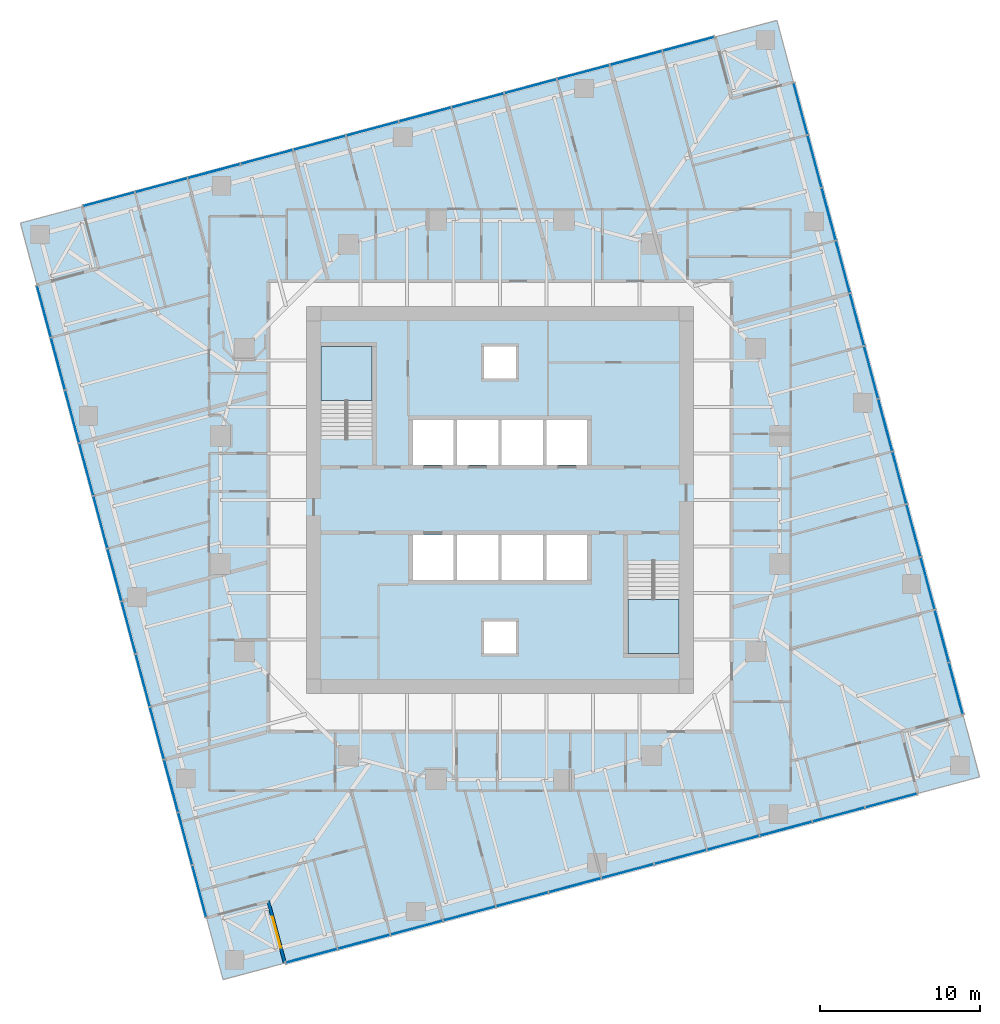
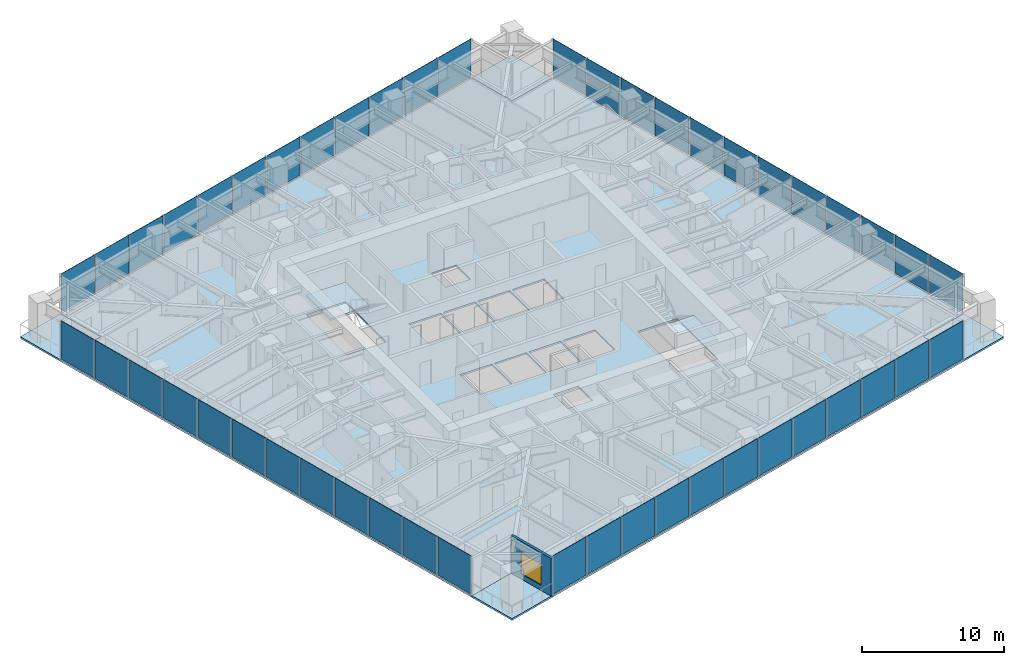
# One storey, part 7 of 15: 48 plates, 7 slabs, 1 wall, 1 window, 1 opening, 6 elements without a shape of their own.
"""IFC4 building model written with IfcOpenShell, lengths in metres."""

from ifc_helpers import new_model, si_unit, direction, frame, frame_2d, origin, origin_2d, place, context, subcontext, project, spatial, polyline, rectangle, outline, extrude, material, layer, layer_set, type_object, element, fill, aggregate, save


model = new_model("IFC4")

# Units and contexts
model_context = context("Model", 3, precision=1e-05, world=origin(), true_north=direction((0.0, 1.0)))
body_context = subcontext(model_context, "Body", "Model", "MODEL_VIEW")
ifc_project = project(units=[si_unit("LENGTHUNIT", "METRE"), si_unit("AREAUNIT", "SQUARE_METRE"), si_unit("VOLUMEUNIT", "CUBIC_METRE"), si_unit("PLANEANGLEUNIT", "RADIAN"), si_unit("MASSUNIT", "GRAM", prefix="KILO")], contexts=[model_context])

# Site, building, storey
site_placement = place(None, origin())
site = spatial("IfcSite", under=ifc_project, at=site_placement, CompositionType="ELEMENT")
building_placement = place(site_placement, origin())
building = spatial("IfcBuilding", under=site, at=building_placement, Name="Torsade Residences", CompositionType="ELEMENT")
storey_placement = place(building_placement, frame((0.0, 0.0, 132.0)))
storey = spatial("IfcBuildingStorey", under=building, at=storey_placement, Name="L36", CompositionType="ELEMENT", Elevation=132.0)

# Slab
ifc_material_1 = material(Name="Concrete 40 MPa", Category="concrete")
ifc_layer_1 = layer(ifc_material_1, 0.14990234375)
ifc_layer_set_1 = layer_set([ifc_layer_1], Name="Concrete 40 MPa")
slab_type_1 = type_object("IfcSlabType", Name="COMPOSITE FLOOR SLAB 150", PredefinedType="FLOOR", material=ifc_layer_set_1)
slab_1_placement = place(storey_placement, frame((0.0, 0.0, -0.14990234375)))
element("IfcSlab", 1, at=slab_1_placement, inside=storey, type_object=slab_type_1, Name="Floor slab L36", PredefinedType="FLOOR", context=body_context, shape_type="SweptSolid", body=[
    extrude(outline(polyline([(26.53955078125, 1.029052734375), (66.142578125, 11.640625), (65.107177734375, 15.50439453125), (68.970947265625, 16.53955078125), (58.359375, 56.142578125), (54.49560546875, 55.107177734375), (53.46044921875, 58.970947265625), (13.857421875, 48.359375), (14.892822265625, 44.49560546875), (11.029052734375, 43.46044921875), (21.640625, 3.857421875), (25.50439453125, 4.892822265625), (26.53955078125, 1.029052734375)]), holes=[polyline([(51.199951171875, 20.39990234375), (51.199951171875, 26.1201171875), (48.0, 26.1201171875), (48.0, 20.39990234375), (51.199951171875, 20.39990234375)]), polyline([(45.5, 27.800048828125), (42.89990234375, 27.800048828125), (42.89990234375, 25.0), (45.5, 25.0), (45.5, 27.800048828125)]), polyline([(45.5, 32.199951171875), (45.5, 35.0), (42.89990234375, 35.0), (42.89990234375, 32.199951171875), (45.5, 32.199951171875)]), polyline([(42.699951171875, 25.0), (42.699951171875, 27.800048828125), (40.10009765625, 27.800048828125), (40.10009765625, 25.0), (42.699951171875, 25.0)]), polyline([(42.699951171875, 32.199951171875), (42.699951171875, 35.0), (40.10009765625, 35.0), (40.10009765625, 32.199951171875), (42.699951171875, 32.199951171875)]), polyline([(41.0, 22.39990234375), (39.0, 22.39990234375), (39.0, 20.39990234375), (41.0, 20.39990234375), (41.0, 22.39990234375)]), polyline([(41.0, 37.60009765625), (41.0, 39.60009765625), (39.0, 39.60009765625), (39.0, 37.60009765625), (41.0, 37.60009765625)]), polyline([(39.89990234375, 25.0), (39.89990234375, 27.800048828125), (37.300048828125, 27.800048828125), (37.300048828125, 25.0), (39.89990234375, 25.0)]), polyline([(39.89990234375, 35.0), (37.300048828125, 35.0), (37.300048828125, 32.199951171875), (39.89990234375, 32.199951171875), (39.89990234375, 35.0)]), polyline([(37.10009765625, 27.800048828125), (34.5, 27.800048828125), (34.5, 25.0), (37.10009765625, 25.0), (37.10009765625, 27.800048828125)]), polyline([(37.10009765625, 32.199951171875), (37.10009765625, 35.0), (34.5, 35.0), (34.5, 32.199951171875), (37.10009765625, 32.199951171875)]), polyline([(32.0, 33.8798828125), (32.0, 39.60009765625), (28.800048828125, 39.60009765625), (28.800048828125, 33.8798828125), (32.0, 33.8798828125)])]), origin(), (0.0, 0.0, 1.0), 0.14990234375),
])

# Curtain wall, plates
ifc_material_2 = material(Name="Aluminium and glass", Category="aluminium")
curtain_wall_type = type_object("IfcCurtainWallType", Name="FRITTED GLASS CURTAIN WALL MID ZONE", PredefinedType="NOTDEFINED", material=ifc_material_2)
curtain_wall_1_placement = place(storey_placement, origin())
curtain_wall_1 = element("IfcCurtainWall", 2, at=curtain_wall_1_placement, inside=storey, type_object=curtain_wall_type, Name="Curtain wall L36 face 1", PredefinedType="NOTDEFINED")
ifc_material_3 = material(Name="Laminated glass", Category="glass")
ifc_layer_2 = layer(ifc_material_3, 0.031982421875)
ifc_layer_set_2 = layer_set([ifc_layer_2], Name="Laminated glass")
plate_type_1 = type_object("IfcPlateType", Name="FRITTED GLASS PANEL", PredefinedType="CURTAIN_PANEL", material=ifc_layer_set_2)
plate_1_placement = place(storey_placement, frame((28.208984375, 1.476318359375, 0.10986328125), z_axis=(0.0, 0.0, 1.0), x_axis=(0.965925825571, 0.258819047783, 0.0)))
plate_1 = element("IfcPlate", 3, at=plate_1_placement, type_object=plate_type_1, Name="Panel 1", PredefinedType="CURTAIN_PANEL", context=body_context, shape_type="SweptSolid", body=[
    extrude(rectangle(XDim=3.296630859375, YDim=0.031982421875, at=origin_2d()), origin(), (0.0, 0.0, 1.0), 3.2900390625),
])
plate_2_placement = place(storey_placement, frame((34.790283203125, 3.23974609375, 0.10986328125), z_axis=(0.0, 0.0, 1.0), x_axis=(0.965925825571, 0.258819047783, 0.0)))
plate_2 = element("IfcPlate", 4, at=plate_2_placement, type_object=plate_type_1, Name="Panel 3", PredefinedType="CURTAIN_PANEL", context=body_context, shape_type="SweptSolid", body=[
    extrude(rectangle(XDim=3.336669921875, YDim=0.031982421875, at=origin_2d()), origin(), (0.0, 0.0, 1.0), 3.2900390625),
])
plate_3_placement = place(storey_placement, frame((38.09033203125, 4.1240234375, 0.10986328125), z_axis=(0.0, 0.0, 1.0), x_axis=(0.965925825571, 0.258819047783, 0.0)))
plate_3 = element("IfcPlate", 5, at=plate_3_placement, type_object=plate_type_1, Name="Panel 4", PredefinedType="CURTAIN_PANEL", context=body_context, shape_type="SweptSolid", body=[
    extrude(rectangle(XDim=3.336669921875, YDim=0.031982421875, at=origin_2d()), origin(), (0.0, 0.0, 1.0), 3.2900390625),
])
plate_4_placement = place(storey_placement, frame((41.390625, 5.00830078125, 0.10986328125), z_axis=(0.0, 0.0, 1.0), x_axis=(0.965925825571, 0.258819047783, 0.0)))
plate_4 = element("IfcPlate", 6, at=plate_4_placement, type_object=plate_type_1, Name="Panel 5", PredefinedType="CURTAIN_PANEL", context=body_context, shape_type="SweptSolid", body=[
    extrude(rectangle(XDim=3.336669921875, YDim=0.031982421875, at=origin_2d()), origin(), (0.0, 0.0, 1.0), 3.2900390625),
])
plate_5_placement = place(storey_placement, frame((47.9912109375, 6.77685546875, 0.10986328125), z_axis=(0.0, 0.0, 1.0), x_axis=(0.965925825571, 0.258819047783, 0.0)))
plate_5 = element("IfcPlate", 7, at=plate_5_placement, type_object=plate_type_1, Name="Panel 7", PredefinedType="CURTAIN_PANEL", context=body_context, shape_type="SweptSolid", body=[
    extrude(rectangle(XDim=3.336669921875, YDim=0.031982421875, at=origin_2d()), origin(), (0.0, 0.0, 1.0), 3.2900390625),
])
plate_6_placement = place(storey_placement, frame((51.29150390625, 7.661376953125, 0.10986328125), z_axis=(0.0, 0.0, 1.0), x_axis=(0.965925825571, 0.258819047783, 0.0)))
plate_6 = element("IfcPlate", 8, at=plate_6_placement, type_object=plate_type_1, Name="Panel 8", PredefinedType="CURTAIN_PANEL", context=body_context, shape_type="SweptSolid", body=[
    extrude(rectangle(XDim=3.336669921875, YDim=0.031982421875, at=origin_2d()), origin(), (0.0, 0.0, 1.0), 3.2900390625),
])
plate_7_placement = place(storey_placement, frame((54.591796875, 8.545654296875, 0.10986328125), z_axis=(0.0, 0.0, 1.0), x_axis=(0.965925825571, 0.258819047783, 0.0)))
plate_7 = element("IfcPlate", 9, at=plate_7_placement, type_object=plate_type_1, Name="Panel 9", PredefinedType="CURTAIN_PANEL", context=body_context, shape_type="SweptSolid", body=[
    extrude(rectangle(XDim=3.336669921875, YDim=0.031982421875, at=origin_2d()), origin(), (0.0, 0.0, 1.0), 3.2900390625),
])
plate_8_placement = place(storey_placement, frame((61.192138671875, 10.314208984375, 0.10986328125), z_axis=(0.0, 0.0, 1.0), x_axis=(0.965925825571, 0.258819047783, 0.0)))
plate_8 = element("IfcPlate", 10, at=plate_8_placement, type_object=plate_type_1, Name="Panel 11", PredefinedType="CURTAIN_PANEL", context=body_context, shape_type="SweptSolid", body=[
    extrude(rectangle(XDim=3.336669921875, YDim=0.031982421875, at=origin_2d()), origin(), (0.0, 0.0, 1.0), 3.2900390625),
])
plate_9_placement = place(storey_placement, frame((64.47314453125, 11.193359375, 0.10986328125), z_axis=(0.0, 0.0, 1.0), x_axis=(0.965925825571, 0.258819047783, 0.0)))
plate_9 = element("IfcPlate", 11, at=plate_9_placement, type_object=plate_type_1, Name="Panel 12", PredefinedType="CURTAIN_PANEL", context=body_context, shape_type="SweptSolid", body=[
    extrude(rectangle(XDim=3.296630859375, YDim=0.031982421875, at=origin_2d()), origin(), (0.0, 0.0, 1.0), 3.2900390625),
])

curtain_wall_2_placement = place(storey_placement, origin())
curtain_wall_2 = element("IfcCurtainWall", 12, at=curtain_wall_2_placement, inside=storey, type_object=curtain_wall_type, Name="Curtain wall L36 face 4", PredefinedType="NOTDEFINED")
plate_10_placement = place(storey_placement, frame((68.523681640625, 18.208984375, 0.10986328125), z_axis=(0.0, 0.0, 1.0), x_axis=(-0.258819047783, 0.965925825571, 0.0)))
plate_10 = element("IfcPlate", 13, at=plate_10_placement, type_object=plate_type_1, Name="Panel 1", PredefinedType="CURTAIN_PANEL", context=body_context, shape_type="SweptSolid", body=[
    extrude(rectangle(XDim=3.296630859375, YDim=0.031982421875, at=origin_2d()), origin(), (0.0, 0.0, 1.0), 3.2900390625),
])
plate_11_placement = place(storey_placement, frame((66.76025390625, 24.790283203125, 0.10986328125), z_axis=(0.0, 0.0, 1.0), x_axis=(-0.258819047783, 0.965925825571, 0.0)))
plate_11 = element("IfcPlate", 14, at=plate_11_placement, type_object=plate_type_1, Name="Panel 3", PredefinedType="CURTAIN_PANEL", context=body_context, shape_type="SweptSolid", body=[
    extrude(rectangle(XDim=3.336669921875, YDim=0.031982421875, at=origin_2d()), origin(), (0.0, 0.0, 1.0), 3.2900390625),
])
plate_12_placement = place(storey_placement, frame((65.8759765625, 28.09033203125, 0.10986328125), z_axis=(0.0, 0.0, 1.0), x_axis=(-0.258819047783, 0.965925825571, 0.0)))
plate_12 = element("IfcPlate", 15, at=plate_12_placement, type_object=plate_type_1, Name="Panel 4", PredefinedType="CURTAIN_PANEL", context=body_context, shape_type="SweptSolid", body=[
    extrude(rectangle(XDim=3.336669921875, YDim=0.031982421875, at=origin_2d()), origin(), (0.0, 0.0, 1.0), 3.2900390625),
])
plate_13_placement = place(storey_placement, frame((64.99169921875, 31.390625, 0.10986328125), z_axis=(0.0, 0.0, 1.0), x_axis=(-0.258819047783, 0.965925825571, 0.0)))
plate_13 = element("IfcPlate", 16, at=plate_13_placement, type_object=plate_type_1, Name="Panel 5", PredefinedType="CURTAIN_PANEL", context=body_context, shape_type="SweptSolid", body=[
    extrude(rectangle(XDim=3.336669921875, YDim=0.031982421875, at=origin_2d()), origin(), (0.0, 0.0, 1.0), 3.2900390625),
])
plate_14_placement = place(storey_placement, frame((63.22314453125, 37.9912109375, 0.10986328125), z_axis=(0.0, 0.0, 1.0), x_axis=(-0.258819047783, 0.965925825571, 0.0)))
plate_14 = element("IfcPlate", 17, at=plate_14_placement, type_object=plate_type_1, Name="Panel 7", PredefinedType="CURTAIN_PANEL", context=body_context, shape_type="SweptSolid", body=[
    extrude(rectangle(XDim=3.336669921875, YDim=0.031982421875, at=origin_2d()), origin(), (0.0, 0.0, 1.0), 3.2900390625),
])
plate_15_placement = place(storey_placement, frame((62.338623046875, 41.29150390625, 0.10986328125), z_axis=(0.0, 0.0, 1.0), x_axis=(-0.258819047783, 0.965925825571, 0.0)))
plate_15 = element("IfcPlate", 18, at=plate_15_placement, type_object=plate_type_1, Name="Panel 8", PredefinedType="CURTAIN_PANEL", context=body_context, shape_type="SweptSolid", body=[
    extrude(rectangle(XDim=3.336669921875, YDim=0.031982421875, at=origin_2d()), origin(), (0.0, 0.0, 1.0), 3.2900390625),
])
plate_16_placement = place(storey_placement, frame((61.454345703125, 44.591796875, 0.10986328125), z_axis=(0.0, 0.0, 1.0), x_axis=(-0.258819047783, 0.965925825571, 0.0)))
plate_16 = element("IfcPlate", 19, at=plate_16_placement, type_object=plate_type_1, Name="Panel 9", PredefinedType="CURTAIN_PANEL", context=body_context, shape_type="SweptSolid", body=[
    extrude(rectangle(XDim=3.336669921875, YDim=0.031982421875, at=origin_2d()), origin(), (0.0, 0.0, 1.0), 3.2900390625),
])
plate_17_placement = place(storey_placement, frame((59.685791015625, 51.192138671875, 0.10986328125), z_axis=(0.0, 0.0, 1.0), x_axis=(-0.258819047783, 0.965925825571, 0.0)))
plate_17 = element("IfcPlate", 20, at=plate_17_placement, type_object=plate_type_1, Name="Panel 11", PredefinedType="CURTAIN_PANEL", context=body_context, shape_type="SweptSolid", body=[
    extrude(rectangle(XDim=3.336669921875, YDim=0.031982421875, at=origin_2d()), origin(), (0.0, 0.0, 1.0), 3.2900390625),
])
plate_18_placement = place(storey_placement, frame((58.806640625, 54.47314453125, 0.10986328125), z_axis=(0.0, 0.0, 1.0), x_axis=(-0.258819047783, 0.965925825571, 0.0)))
plate_18 = element("IfcPlate", 21, at=plate_18_placement, type_object=plate_type_1, Name="Panel 12", PredefinedType="CURTAIN_PANEL", context=body_context, shape_type="SweptSolid", body=[
    extrude(rectangle(XDim=3.296630859375, YDim=0.031982421875, at=origin_2d()), origin(), (0.0, 0.0, 1.0), 3.2900390625),
])

curtain_wall_3_placement = place(storey_placement, origin())
curtain_wall_3 = element("IfcCurtainWall", 22, at=curtain_wall_3_placement, inside=storey, type_object=curtain_wall_type, Name="Curtain wall L36 face 7", PredefinedType="NOTDEFINED")
plate_19_placement = place(storey_placement, frame((51.791015625, 58.523681640625, 0.10986328125), z_axis=(0.0, 0.0, 1.0), x_axis=(-0.965925825571, -0.258819047783, 0.0)))
plate_19 = element("IfcPlate", 23, at=plate_19_placement, type_object=plate_type_1, Name="Panel 1", PredefinedType="CURTAIN_PANEL", context=body_context, shape_type="SweptSolid", body=[
    extrude(rectangle(XDim=3.296630859375, YDim=0.031982421875, at=origin_2d()), origin(), (0.0, 0.0, 1.0), 3.2900390625),
])
plate_20_placement = place(storey_placement, frame((45.209716796875, 56.76025390625, 0.10986328125), z_axis=(0.0, 0.0, 1.0), x_axis=(-0.965925825571, -0.258819047783, 0.0)))
plate_20 = element("IfcPlate", 24, at=plate_20_placement, type_object=plate_type_1, Name="Panel 3", PredefinedType="CURTAIN_PANEL", context=body_context, shape_type="SweptSolid", body=[
    extrude(rectangle(XDim=3.336669921875, YDim=0.031982421875, at=origin_2d()), origin(), (0.0, 0.0, 1.0), 3.2900390625),
])
plate_21_placement = place(storey_placement, frame((41.90966796875, 55.8759765625, 0.10986328125), z_axis=(0.0, 0.0, 1.0), x_axis=(-0.965925825571, -0.258819047783, 0.0)))
plate_21 = element("IfcPlate", 25, at=plate_21_placement, type_object=plate_type_1, Name="Panel 4", PredefinedType="CURTAIN_PANEL", context=body_context, shape_type="SweptSolid", body=[
    extrude(rectangle(XDim=3.336669921875, YDim=0.031982421875, at=origin_2d()), origin(), (0.0, 0.0, 1.0), 3.2900390625),
])
plate_22_placement = place(storey_placement, frame((38.609375, 54.99169921875, 0.10986328125), z_axis=(0.0, 0.0, 1.0), x_axis=(-0.965925825571, -0.258819047783, 0.0)))
plate_22 = element("IfcPlate", 26, at=plate_22_placement, type_object=plate_type_1, Name="Panel 5", PredefinedType="CURTAIN_PANEL", context=body_context, shape_type="SweptSolid", body=[
    extrude(rectangle(XDim=3.336669921875, YDim=0.031982421875, at=origin_2d()), origin(), (0.0, 0.0, 1.0), 3.2900390625),
])
plate_23_placement = place(storey_placement, frame((32.0087890625, 53.22314453125, 0.10986328125), z_axis=(0.0, 0.0, 1.0), x_axis=(-0.965925825571, -0.258819047783, 0.0)))
plate_23 = element("IfcPlate", 27, at=plate_23_placement, type_object=plate_type_1, Name="Panel 7", PredefinedType="CURTAIN_PANEL", context=body_context, shape_type="SweptSolid", body=[
    extrude(rectangle(XDim=3.336669921875, YDim=0.031982421875, at=origin_2d()), origin(), (0.0, 0.0, 1.0), 3.2900390625),
])
plate_24_placement = place(storey_placement, frame((28.70849609375, 52.338623046875, 0.10986328125), z_axis=(0.0, 0.0, 1.0), x_axis=(-0.965925825571, -0.258819047783, 0.0)))
plate_24 = element("IfcPlate", 28, at=plate_24_placement, type_object=plate_type_1, Name="Panel 8", PredefinedType="CURTAIN_PANEL", context=body_context, shape_type="SweptSolid", body=[
    extrude(rectangle(XDim=3.336669921875, YDim=0.031982421875, at=origin_2d()), origin(), (0.0, 0.0, 1.0), 3.2900390625),
])
plate_25_placement = place(storey_placement, frame((25.408203125, 51.454345703125, 0.10986328125), z_axis=(0.0, 0.0, 1.0), x_axis=(-0.965925825571, -0.258819047783, 0.0)))
plate_25 = element("IfcPlate", 29, at=plate_25_placement, type_object=plate_type_1, Name="Panel 9", PredefinedType="CURTAIN_PANEL", context=body_context, shape_type="SweptSolid", body=[
    extrude(rectangle(XDim=3.336669921875, YDim=0.031982421875, at=origin_2d()), origin(), (0.0, 0.0, 1.0), 3.2900390625),
])
plate_26_placement = place(storey_placement, frame((18.807861328125, 49.685791015625, 0.10986328125), z_axis=(0.0, 0.0, 1.0), x_axis=(-0.965925825571, -0.258819047783, 0.0)))
plate_26 = element("IfcPlate", 30, at=plate_26_placement, type_object=plate_type_1, Name="Panel 11", PredefinedType="CURTAIN_PANEL", context=body_context, shape_type="SweptSolid", body=[
    extrude(rectangle(XDim=3.336669921875, YDim=0.031982421875, at=origin_2d()), origin(), (0.0, 0.0, 1.0), 3.2900390625),
])
plate_27_placement = place(storey_placement, frame((15.52685546875, 48.806640625, 0.10986328125), z_axis=(0.0, 0.0, 1.0), x_axis=(-0.965925825571, -0.258819047783, 0.0)))
plate_27 = element("IfcPlate", 31, at=plate_27_placement, type_object=plate_type_1, Name="Panel 12", PredefinedType="CURTAIN_PANEL", context=body_context, shape_type="SweptSolid", body=[
    extrude(rectangle(XDim=3.296630859375, YDim=0.031982421875, at=origin_2d()), origin(), (0.0, 0.0, 1.0), 3.2900390625),
])

curtain_wall_4_placement = place(storey_placement, origin())
curtain_wall_4 = element("IfcCurtainWall", 32, at=curtain_wall_4_placement, inside=storey, type_object=curtain_wall_type, Name="Curtain wall L36 face 10", PredefinedType="NOTDEFINED")
plate_28_placement = place(storey_placement, frame((11.476318359375, 41.791015625, 0.10986328125), z_axis=(0.0, 0.0, 1.0), x_axis=(0.258819047783, -0.965925825571, 0.0)))
plate_28 = element("IfcPlate", 33, at=plate_28_placement, type_object=plate_type_1, Name="Panel 1", PredefinedType="CURTAIN_PANEL", context=body_context, shape_type="SweptSolid", body=[
    extrude(rectangle(XDim=3.296630859375, YDim=0.031982421875, at=origin_2d()), origin(), (0.0, 0.0, 1.0), 3.2900390625),
])
plate_29_placement = place(storey_placement, frame((13.23974609375, 35.209716796875, 0.10986328125), z_axis=(0.0, 0.0, 1.0), x_axis=(0.258819047783, -0.965925825571, 0.0)))
plate_29 = element("IfcPlate", 34, at=plate_29_placement, type_object=plate_type_1, Name="Panel 3", PredefinedType="CURTAIN_PANEL", context=body_context, shape_type="SweptSolid", body=[
    extrude(rectangle(XDim=3.336669921875, YDim=0.031982421875, at=origin_2d()), origin(), (0.0, 0.0, 1.0), 3.2900390625),
])
plate_30_placement = place(storey_placement, frame((14.1240234375, 31.90966796875, 0.10986328125), z_axis=(0.0, 0.0, 1.0), x_axis=(0.258819047783, -0.965925825571, 0.0)))
plate_30 = element("IfcPlate", 35, at=plate_30_placement, type_object=plate_type_1, Name="Panel 4", PredefinedType="CURTAIN_PANEL", context=body_context, shape_type="SweptSolid", body=[
    extrude(rectangle(XDim=3.336669921875, YDim=0.031982421875, at=origin_2d()), origin(), (0.0, 0.0, 1.0), 3.2900390625),
])
plate_31_placement = place(storey_placement, frame((15.00830078125, 28.609375, 0.10986328125), z_axis=(0.0, 0.0, 1.0), x_axis=(0.258819047783, -0.965925825571, 0.0)))
plate_31 = element("IfcPlate", 36, at=plate_31_placement, type_object=plate_type_1, Name="Panel 5", PredefinedType="CURTAIN_PANEL", context=body_context, shape_type="SweptSolid", body=[
    extrude(rectangle(XDim=3.336669921875, YDim=0.031982421875, at=origin_2d()), origin(), (0.0, 0.0, 1.0), 3.2900390625),
])
plate_32_placement = place(storey_placement, frame((16.77685546875, 22.0087890625, 0.10986328125), z_axis=(0.0, 0.0, 1.0), x_axis=(0.258819047783, -0.965925825571, 0.0)))
plate_32 = element("IfcPlate", 37, at=plate_32_placement, type_object=plate_type_1, Name="Panel 7", PredefinedType="CURTAIN_PANEL", context=body_context, shape_type="SweptSolid", body=[
    extrude(rectangle(XDim=3.336669921875, YDim=0.031982421875, at=origin_2d()), origin(), (0.0, 0.0, 1.0), 3.2900390625),
])
plate_33_placement = place(storey_placement, frame((17.661376953125, 18.70849609375, 0.10986328125), z_axis=(0.0, 0.0, 1.0), x_axis=(0.258819047783, -0.965925825571, 0.0)))
plate_33 = element("IfcPlate", 38, at=plate_33_placement, type_object=plate_type_1, Name="Panel 8", PredefinedType="CURTAIN_PANEL", context=body_context, shape_type="SweptSolid", body=[
    extrude(rectangle(XDim=3.336669921875, YDim=0.031982421875, at=origin_2d()), origin(), (0.0, 0.0, 1.0), 3.2900390625),
])
plate_34_placement = place(storey_placement, frame((18.545654296875, 15.408203125, 0.10986328125), z_axis=(0.0, 0.0, 1.0), x_axis=(0.258819047783, -0.965925825571, 0.0)))
plate_34 = element("IfcPlate", 39, at=plate_34_placement, type_object=plate_type_1, Name="Panel 9", PredefinedType="CURTAIN_PANEL", context=body_context, shape_type="SweptSolid", body=[
    extrude(rectangle(XDim=3.336669921875, YDim=0.031982421875, at=origin_2d()), origin(), (0.0, 0.0, 1.0), 3.2900390625),
])
plate_35_placement = place(storey_placement, frame((20.314208984375, 8.807861328125, 0.10986328125), z_axis=(0.0, 0.0, 1.0), x_axis=(0.258819047783, -0.965925825571, 0.0)))
plate_35 = element("IfcPlate", 40, at=plate_35_placement, type_object=plate_type_1, Name="Panel 11", PredefinedType="CURTAIN_PANEL", context=body_context, shape_type="SweptSolid", body=[
    extrude(rectangle(XDim=3.336669921875, YDim=0.031982421875, at=origin_2d()), origin(), (0.0, 0.0, 1.0), 3.2900390625),
])
plate_36_placement = place(storey_placement, frame((21.193359375, 5.52685546875, 0.10986328125), z_axis=(0.0, 0.0, 1.0), x_axis=(0.258819047783, -0.965925825571, 0.0)))
plate_36 = element("IfcPlate", 41, at=plate_36_placement, type_object=plate_type_1, Name="Panel 12", PredefinedType="CURTAIN_PANEL", context=body_context, shape_type="SweptSolid", body=[
    extrude(rectangle(XDim=3.296630859375, YDim=0.031982421875, at=origin_2d()), origin(), (0.0, 0.0, 1.0), 3.2900390625),
])

# Plate
ifc_material_4 = material(Name="Laminated glass", Category="glass")
ifc_layer_3 = layer(ifc_material_4, 0.0400390625)
ifc_layer_set_3 = layer_set([ifc_layer_3], Name="Laminated glass")
plate_type_2 = type_object("IfcPlateType", Name="OPERABLE VENT PANEL", PredefinedType="CURTAIN_PANEL", material=ifc_layer_set_3)
plate_37_placement = place(storey_placement, frame((31.489990234375, 2.35546875, 0.10986328125), z_axis=(0.0, 0.0, 1.0), x_axis=(0.965925825571, 0.258819047783, 0.0)))
plate_37 = element("IfcPlate", 42, at=plate_37_placement, type_object=plate_type_2, Name="Panel 2", PredefinedType="CURTAIN_PANEL", context=body_context, shape_type="SweptSolid", body=[
    extrude(rectangle(XDim=3.336669921875, YDim=0.0400390625, at=origin_2d()), origin(), (0.0, 0.0, 1.0), 3.2900390625),
])

plate_38_placement = place(storey_placement, frame((44.69091796875, 5.892578125, 0.10986328125), z_axis=(0.0, 0.0, 1.0), x_axis=(0.965925825571, 0.258819047783, 0.0)))
plate_38 = element("IfcPlate", 43, at=plate_38_placement, type_object=plate_type_2, Name="Panel 6", PredefinedType="CURTAIN_PANEL", context=body_context, shape_type="SweptSolid", body=[
    extrude(rectangle(XDim=3.336669921875, YDim=0.0400390625, at=origin_2d()), origin(), (0.0, 0.0, 1.0), 3.2900390625),
])

plate_39_placement = place(storey_placement, frame((57.891845703125, 9.429931640625, 0.10986328125), z_axis=(0.0, 0.0, 1.0), x_axis=(0.965925825571, 0.258819047783, 0.0)))
plate_39 = element("IfcPlate", 44, at=plate_39_placement, type_object=plate_type_2, Name="Panel 10", PredefinedType="CURTAIN_PANEL", context=body_context, shape_type="SweptSolid", body=[
    extrude(rectangle(XDim=3.336669921875, YDim=0.0400390625, at=origin_2d()), origin(), (0.0, 0.0, 1.0), 3.2900390625),
])

aggregate(curtain_wall_1, [plate_1, plate_37, plate_2, plate_3, plate_4, plate_38, plate_5, plate_6, plate_7, plate_39, plate_8, plate_9])

plate_40_placement = place(storey_placement, frame((67.64453125, 21.489990234375, 0.10986328125), z_axis=(0.0, 0.0, 1.0), x_axis=(-0.258819047783, 0.965925825571, 0.0)))
plate_40 = element("IfcPlate", 45, at=plate_40_placement, type_object=plate_type_2, Name="Panel 2", PredefinedType="CURTAIN_PANEL", context=body_context, shape_type="SweptSolid", body=[
    extrude(rectangle(XDim=3.336669921875, YDim=0.0400390625, at=origin_2d()), origin(), (0.0, 0.0, 1.0), 3.2900390625),
])

plate_41_placement = place(storey_placement, frame((64.107421875, 34.69091796875, 0.10986328125), z_axis=(0.0, 0.0, 1.0), x_axis=(-0.258819047783, 0.965925825571, 0.0)))
plate_41 = element("IfcPlate", 46, at=plate_41_placement, type_object=plate_type_2, Name="Panel 6", PredefinedType="CURTAIN_PANEL", context=body_context, shape_type="SweptSolid", body=[
    extrude(rectangle(XDim=3.336669921875, YDim=0.0400390625, at=origin_2d()), origin(), (0.0, 0.0, 1.0), 3.2900390625),
])

plate_42_placement = place(storey_placement, frame((60.570068359375, 47.891845703125, 0.10986328125), z_axis=(0.0, 0.0, 1.0), x_axis=(-0.258819047783, 0.965925825571, 0.0)))
plate_42 = element("IfcPlate", 47, at=plate_42_placement, type_object=plate_type_2, Name="Panel 10", PredefinedType="CURTAIN_PANEL", context=body_context, shape_type="SweptSolid", body=[
    extrude(rectangle(XDim=3.336669921875, YDim=0.0400390625, at=origin_2d()), origin(), (0.0, 0.0, 1.0), 3.2900390625),
])

aggregate(curtain_wall_2, [plate_10, plate_40, plate_11, plate_12, plate_13, plate_41, plate_14, plate_15, plate_16, plate_42, plate_17, plate_18])

plate_43_placement = place(storey_placement, frame((48.510009765625, 57.64453125, 0.10986328125), z_axis=(0.0, 0.0, 1.0), x_axis=(-0.965925825571, -0.258819047783, 0.0)))
plate_43 = element("IfcPlate", 48, at=plate_43_placement, type_object=plate_type_2, Name="Panel 2", PredefinedType="CURTAIN_PANEL", context=body_context, shape_type="SweptSolid", body=[
    extrude(rectangle(XDim=3.336669921875, YDim=0.0400390625, at=origin_2d()), origin(), (0.0, 0.0, 1.0), 3.2900390625),
])

plate_44_placement = place(storey_placement, frame((35.30908203125, 54.107421875, 0.10986328125), z_axis=(0.0, 0.0, 1.0), x_axis=(-0.965925825571, -0.258819047783, 0.0)))
plate_44 = element("IfcPlate", 49, at=plate_44_placement, type_object=plate_type_2, Name="Panel 6", PredefinedType="CURTAIN_PANEL", context=body_context, shape_type="SweptSolid", body=[
    extrude(rectangle(XDim=3.336669921875, YDim=0.0400390625, at=origin_2d()), origin(), (0.0, 0.0, 1.0), 3.2900390625),
])

plate_45_placement = place(storey_placement, frame((22.108154296875, 50.570068359375, 0.10986328125), z_axis=(0.0, 0.0, 1.0), x_axis=(-0.965925825571, -0.258819047783, 0.0)))
plate_45 = element("IfcPlate", 50, at=plate_45_placement, type_object=plate_type_2, Name="Panel 10", PredefinedType="CURTAIN_PANEL", context=body_context, shape_type="SweptSolid", body=[
    extrude(rectangle(XDim=3.336669921875, YDim=0.0400390625, at=origin_2d()), origin(), (0.0, 0.0, 1.0), 3.2900390625),
])

aggregate(curtain_wall_3, [plate_19, plate_43, plate_20, plate_21, plate_22, plate_44, plate_23, plate_24, plate_25, plate_45, plate_26, plate_27])

plate_46_placement = place(storey_placement, frame((12.35546875, 38.510009765625, 0.10986328125), z_axis=(0.0, 0.0, 1.0), x_axis=(0.258819047783, -0.965925825571, 0.0)))
plate_46 = element("IfcPlate", 51, at=plate_46_placement, type_object=plate_type_2, Name="Panel 2", PredefinedType="CURTAIN_PANEL", context=body_context, shape_type="SweptSolid", body=[
    extrude(rectangle(XDim=3.336669921875, YDim=0.0400390625, at=origin_2d()), origin(), (0.0, 0.0, 1.0), 3.2900390625),
])

plate_47_placement = place(storey_placement, frame((15.892578125, 25.30908203125, 0.10986328125), z_axis=(0.0, 0.0, 1.0), x_axis=(0.258819047783, -0.965925825571, 0.0)))
plate_47 = element("IfcPlate", 52, at=plate_47_placement, type_object=plate_type_2, Name="Panel 6", PredefinedType="CURTAIN_PANEL", context=body_context, shape_type="SweptSolid", body=[
    extrude(rectangle(XDim=3.336669921875, YDim=0.0400390625, at=origin_2d()), origin(), (0.0, 0.0, 1.0), 3.2900390625),
])

plate_48_placement = place(storey_placement, frame((19.429931640625, 12.108154296875, 0.10986328125), z_axis=(0.0, 0.0, 1.0), x_axis=(0.258819047783, -0.965925825571, 0.0)))
plate_48 = element("IfcPlate", 53, at=plate_48_placement, type_object=plate_type_2, Name="Panel 10", PredefinedType="CURTAIN_PANEL", context=body_context, shape_type="SweptSolid", body=[
    extrude(rectangle(XDim=3.336669921875, YDim=0.0400390625, at=origin_2d()), origin(), (0.0, 0.0, 1.0), 3.2900390625),
])

aggregate(curtain_wall_4, [plate_28, plate_46, plate_29, plate_30, plate_31, plate_47, plate_32, plate_33, plate_34, plate_48, plate_35, plate_36])

# Stair, slab
ifc_material_5 = material(Name="Precast concrete 40 MPa", Category="concrete")
stair_type = type_object("IfcStairType", Name="HALF-TURN FIRE STAIR 1500x3400", PredefinedType="HALF_TURN_STAIR", material=ifc_material_5)
stair_1_placement = place(storey_placement, origin())
stair_1 = element("IfcStair", 54, at=stair_1_placement, inside=storey, type_object=stair_type, Name="Stair ST1 L36", PredefinedType="HALF_TURN_STAIR")
ifc_material_6 = material(Name="Precast concrete 40 MPa", Category="concrete")
ifc_layer_4 = layer(ifc_material_6, 0.179931640625)
ifc_layer_set_4 = layer_set([ifc_layer_4], Name="Precast concrete 40 MPa")
slab_type_2 = type_object("IfcSlabType", Name="PRECAST STAIR LANDING 180", PredefinedType="LANDING", material=ifc_layer_set_4)
slab_2_placement = place(storey_placement, frame((0.0, 0.0, 1.52001953125)))
slab_2 = element("IfcSlab", 55, at=slab_2_placement, type_object=slab_type_2, Name="ST1 landing 1", PredefinedType="LANDING", context=body_context, shape_type="SweptSolid", body=[
    extrude(outline(polyline([(28.800048828125, 36.2099609375), (32.0, 36.2099609375), (32.0, 39.60009765625), (28.800048828125, 39.60009765625), (28.800048828125, 36.2099609375)])), origin(), (0.0, 0.0, 1.0), 0.179931640625),
])
aggregate(stair_1, [slab_2])

stair_2_placement = place(storey_placement, origin())
stair_2 = element("IfcStair", 56, at=stair_2_placement, inside=storey, type_object=stair_type, Name="Stair ST2 L36", PredefinedType="HALF_TURN_STAIR")
slab_3_placement = place(storey_placement, frame((0.0, 0.0, 1.52001953125)))
slab_3 = element("IfcSlab", 57, at=slab_3_placement, type_object=slab_type_2, Name="ST2 landing 1", PredefinedType="LANDING", context=body_context, shape_type="SweptSolid", body=[
    extrude(outline(polyline([(48.0, 20.39990234375), (51.199951171875, 20.39990234375), (51.199951171875, 23.7900390625), (48.0, 23.7900390625), (48.0, 20.39990234375)])), origin(), (0.0, 0.0, 1.0), 0.179931640625),
])
aggregate(stair_2, [slab_3])

# Slabs
ifc_material_7 = material(Name="Concrete 40 MPa", Category="concrete")
ifc_layer_5 = layer(ifc_material_7, 0.14990234375)
ifc_layer_set_5 = layer_set([ifc_layer_5], Name="Concrete 40 MPa")
slab_type_3 = type_object("IfcSlabType", Name="TERRACE SLAB 150", PredefinedType="FLOOR", material=ifc_layer_set_5)
slab_4_placement = place(storey_placement, frame((0.0, 0.0, -0.14990234375)))
element("IfcSlab", 58, at=slab_4_placement, inside=storey, type_object=slab_type_3, Name="Corner terrace slab SE L36", PredefinedType="FLOOR", context=body_context, shape_type="SweptSolid", body=[
    extrude(outline(polyline([(66.142578125, 11.640625), (70.00634765625, 12.67578125), (68.970947265625, 16.53955078125), (65.107177734375, 15.50439453125), (66.142578125, 11.640625)])), origin(), (0.0, 0.0, 1.0), 0.14990234375),
])
slab_5_placement = place(storey_placement, frame((0.0, 0.0, -0.14990234375)))
element("IfcSlab", 59, at=slab_5_placement, inside=storey, type_object=slab_type_3, Name="Corner terrace slab NE L36", PredefinedType="FLOOR", context=body_context, shape_type="SweptSolid", body=[
    extrude(outline(polyline([(54.49560546875, 55.107177734375), (58.359375, 56.142578125), (57.32421875, 60.00634765625), (53.46044921875, 58.970947265625), (54.49560546875, 55.107177734375)])), origin(), (0.0, 0.0, 1.0), 0.14990234375),
])
slab_6_placement = place(storey_placement, frame((0.0, 0.0, -0.14990234375)))
element("IfcSlab", 60, at=slab_6_placement, inside=storey, type_object=slab_type_3, Name="Corner terrace slab NW L36", PredefinedType="FLOOR", context=body_context, shape_type="SweptSolid", body=[
    extrude(outline(polyline([(11.029052734375, 43.46044921875), (14.892822265625, 44.49560546875), (13.857421875, 48.359375), (9.99365234375, 47.32421875), (11.029052734375, 43.46044921875)])), origin(), (0.0, 0.0, 1.0), 0.14990234375),
])
slab_7_placement = place(storey_placement, frame((0.0, 0.0, -0.14990234375)))
element("IfcSlab", 61, at=slab_7_placement, inside=storey, type_object=slab_type_3, Name="Corner terrace slab SW L36", PredefinedType="FLOOR", context=body_context, shape_type="SweptSolid", body=[
    extrude(outline(polyline([(22.67578125, -0.00634765625), (26.53955078125, 1.029052734375), (25.50439453125, 4.892822265625), (21.640625, 3.857421875), (22.67578125, -0.00634765625)])), origin(), (0.0, 0.0, 1.0), 0.14990234375),
])

# Wall, opening, window
ifc_material_8 = material(Name="Stone-faced precast concrete 40 MPa panel", Category="masonry")
ifc_layer_6 = layer(ifc_material_8, 0.199951171875)
ifc_layer_set_6 = layer_set([ifc_layer_6], Name="Stone-faced precast concrete 40 MPa panel")
wall_type = type_object("IfcWallType", Name="TERRACE WALL 200", PredefinedType="SOLIDWALL", material=ifc_layer_set_6)
wall_placement = place(storey_placement, frame((25.50439453125, 4.892822265625, 0.0), z_axis=(0.0, 0.0, 1.0), x_axis=(0.258786931944, -0.965934430412, 0.0)))
wall = element("IfcWall", 62, at=wall_placement, inside=storey, type_object=wall_type, Name="Terrace wall L36 12", PredefinedType="SOLIDWALL", context=body_context, shape_type="SweptSolid", body=[
    extrude(rectangle(XDim=4.0, YDim=0.199951171875, at=frame_2d((2.0, 0.0))), origin(), (0.0, 0.0, 1.0), 3.25),
])
opening_placement = place(wall_placement, frame((1.0, 0.0, 0.449951171875)))
opening = element("IfcOpeningElement", 63, at=opening_placement, cuts=wall, Name="Opening W1B", PredefinedType="OPENING", context=body_context, shape_type="SweptSolid", body=[
    extrude(rectangle(XDim=2.0, YDim=1.800048828125, at=frame_2d((1.0, 0.89990234375))), frame((0.0, 0.10986328125, 0.0), z_axis=(0.0, -1.0, 0.0), x_axis=(1.0, 0.0, 0.0)), (0.0, 0.0, 1.0), 0.219970703125),
])
ifc_material_9 = material(Name="Aluminium-framed glass window", Category="aluminium")
window_type = type_object("IfcWindowType", Name="TERRACE WINDOW 2000x1800", PartitioningType="SINGLE_PANEL", PredefinedType="WINDOW", material=ifc_material_9)
window_placement = place(opening_placement, origin())
window = element("IfcWindow", 64, at=window_placement, inside=storey, type_object=window_type, Name="Terrace window L36 12", OverallHeight=1.800048828125, OverallWidth=2.0, PartitioningType="SINGLE_PANEL", PredefinedType="WINDOW", context=body_context, shape_type="SweptSolid", body=[
    extrude(rectangle(XDim=2.0, YDim=1.800048828125, at=frame_2d((1.0, 0.89990234375))), frame((0.0, 0.030029296875, 0.0), z_axis=(0.0, -1.0, 0.0), x_axis=(1.0, 0.0, 0.0)), (0.0, 0.0, 1.0), 0.06005859375),
])
fill(opening, window)

save(model, "model.ifc")
